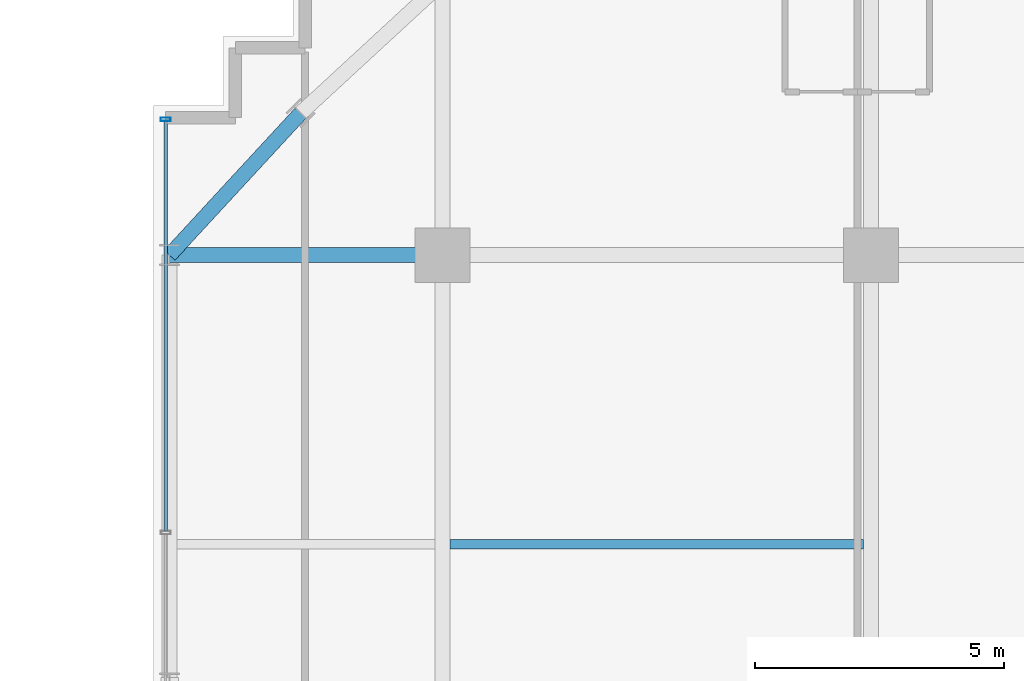
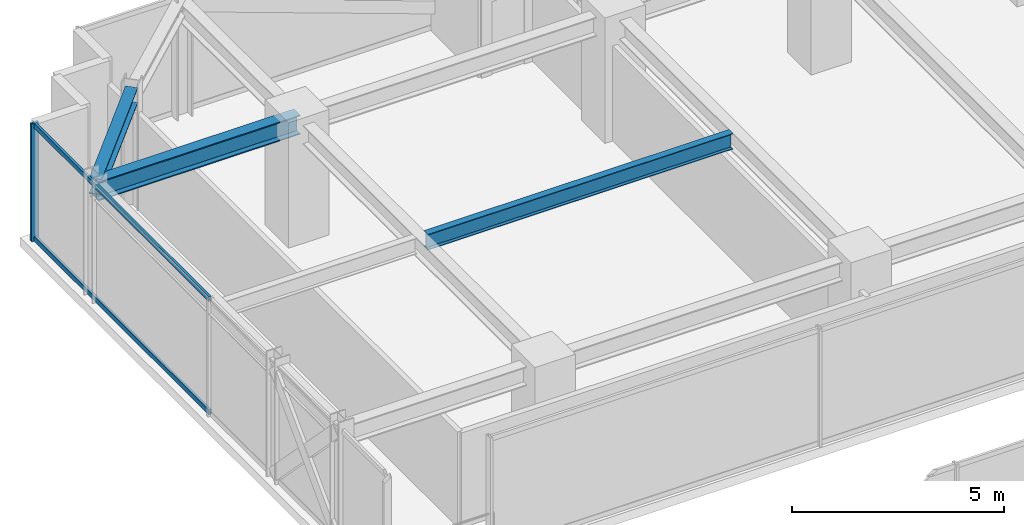
# One storey, part 21 of 36: 3 beams, 3 members, 1 element without a shape of its own.
"""IFC4 building model written with IfcOpenShell, lengths in metres."""

from ifc_helpers import new_model, si_unit, direction, frame, origin, origin_2d, place, context, subcontext, project, spatial, hollow_rectangle, i_section, extrude, source, transform, mapped, material, material_profile, profile_set, type_object, element, aggregate, save


model = new_model("IFC4")

# Units and contexts
model_context = context("Model", 3, precision=1e-05, world=origin(), true_north=direction((0.0, 1.0)))
body_context = subcontext(model_context, "Body", "Model", "MODEL_VIEW")
ifc_project = project(units=[si_unit("LENGTHUNIT", "METRE"), si_unit("AREAUNIT", "SQUARE_METRE"), si_unit("VOLUMEUNIT", "CUBIC_METRE"), si_unit("PLANEANGLEUNIT", "RADIAN"), si_unit("MASSUNIT", "GRAM", prefix="KILO")], contexts=[model_context])

# Site, building, storey
site_placement = place(None, origin())
site = spatial("IfcSite", under=ifc_project, at=site_placement, CompositionType="ELEMENT")
building_placement = place(site_placement, origin())
building = spatial("IfcBuilding", under=site, at=building_placement, Name="Nahalor Promenade Grand Hotel", CompositionType="ELEMENT")
storey_placement = place(building_placement, frame((0.0, 0.0, 170.89990234375)))
storey = spatial("IfcBuildingStorey", under=building, at=storey_placement, Name="L43", CompositionType="ELEMENT", Elevation=170.89990234375)

# Beams
ifc_material_1 = material(Name="Steel S355JR", Category="steel")
ifc_material_profile_1 = material_profile(ifc_material_1, i_section(OverallWidth=0.19, OverallDepth=0.45, WebThickness=0.0094, FlangeThickness=0.0146, at=origin_2d()), Name="IPE 450")
ifc_profile_set_1 = profile_set([ifc_material_profile_1], Name="Steel S355JR")
beam_type_1 = type_object("IfcBeamType", Name="Beam-Joist-IPE450", PredefinedType="JOIST", material=ifc_profile_set_1)
shared_shape_1 = source(origin(), body_context, "Body", "SweptSolid", [
    extrude(i_section(OverallWidth=0.19, OverallDepth=0.45, WebThickness=0.0094, FlangeThickness=0.0146, at=origin_2d()), origin(), (0.0, 0.0, 1.0), 8.300048828125),
])
beam_1_placement = place(storey_placement, frame((-16.85009765625, 11.199951171875, 3.1650390625), z_axis=(1.0, 0.0, 0.0), x_axis=(0.0, 1.0, 0.0)))
element("IfcBeam", 1, at=beam_1_placement, inside=storey, type_object=beam_type_1, Name="BM-L43-JSW-1-1", PredefinedType="JOIST", context=body_context, shape_type="MappedRepresentation", body=[
    mapped(shared_shape_1, transform((0.0, 0.0, 0.0), scale=1.0)),
])
ifc_material_profile_2 = material_profile(ifc_material_1, i_section(OverallWidth=0.3, OverallDepth=0.55, WebThickness=0.015, FlangeThickness=0.029, at=origin_2d()), Name="HEB 550")
ifc_profile_set_2 = profile_set([ifc_material_profile_2], Name="Steel S355JR")
beam_type_2 = type_object("IfcBeamType", Name="Beam-Girder-HEB550", PredefinedType="BEAM", material=ifc_profile_set_2)
shared_shape_2 = source(origin(), body_context, "Body", "SweptSolid", [
    extrude(i_section(OverallWidth=0.3, OverallDepth=0.55, WebThickness=0.015, FlangeThickness=0.029, at=origin_2d()), origin(), (0.0, 0.0, 1.0), 5.47998046875),
])
beam_2_placement = place(storey_placement, frame((-22.47998046875, 17.0, 3.114990234375), z_axis=(1.0, 0.0, 0.0), x_axis=(0.0, 1.0, 0.0)))
element("IfcBeam", 2, at=beam_2_placement, inside=storey, type_object=beam_type_2, Name="BM-L43-GX-3-0", PredefinedType="BEAM", context=body_context, shape_type="MappedRepresentation", body=[
    mapped(shared_shape_2, transform((0.0, 0.0, 0.0), scale=1.0)),
])
ifc_material_profile_3 = material_profile(ifc_material_1, i_section(OverallWidth=0.3, OverallDepth=0.45, WebThickness=0.014, FlangeThickness=0.026, at=origin_2d()), Name="HEB 450")
ifc_profile_set_3 = profile_set([ifc_material_profile_3], Name="Steel S355JR")
beam_type_3 = type_object("IfcBeamType", Name="Beam-Spandrel-HEB450", PredefinedType="SPANDREL", material=ifc_profile_set_3)
shared_shape_3 = source(origin(), body_context, "Body", "SweptSolid", [
    extrude(i_section(OverallWidth=0.3, OverallDepth=0.45, WebThickness=0.014, FlangeThickness=0.026, at=origin_2d()), origin(), (0.0, 0.0, 1.0), 3.878173828125),
])
beam_3_placement = place(storey_placement, frame((-19.85009765625, 19.85009765625, 3.1650390625), z_axis=(-0.678144125843, -0.73492893846, 0.0), x_axis=(0.73492893846, -0.678144125843, 0.0)))
element("IfcBeam", 3, at=beam_3_placement, inside=storey, type_object=beam_type_3, Name="BM-L43-SPC-NW-2", PredefinedType="SPANDREL", context=body_context, shape_type="MappedRepresentation", body=[
    mapped(shared_shape_3, transform((0.0, 0.0, 0.0), scale=1.0)),
])

# Curtain wall, members
ifc_material_2 = material(Name="Anodised Bronze Aluminium EN AW-6063 T6", Category="aluminium")
curtain_wall_type = type_object("IfcCurtainWallType", Name="CW3 Elliptical-Void Collar Unitised Curtain Wall", PredefinedType="USERDEFINED", material=ifc_material_2)
curtain_wall_placement = place(storey_placement, origin())
curtain_wall = element("IfcCurtainWall", 4, at=curtain_wall_placement, inside=storey, type_object=curtain_wall_type, Name="L43 Curtain Wall CW-L43-W-4", ObjectType="UNITISED_CURTAIN_WALL", PredefinedType="USERDEFINED")
ifc_material_profile_4 = material_profile(ifc_material_2, hollow_rectangle(XDim=0.07, YDim=0.2, WallThickness=0.005, at=origin_2d()), Name="CWM 70x200x5")
ifc_profile_set_4 = profile_set([ifc_material_profile_4], Name="Anodised Bronze Aluminium EN AW-6063 T6")
member_type_1 = type_object("IfcMemberType", Name="CWM3 Void Collar Mullion 70x200", PredefinedType="MULLION", material=ifc_profile_set_4)
shared_shape_4 = source(origin(), body_context, "Body", "SweptSolid", [
    extrude(hollow_rectangle(XDim=0.07, YDim=0.2, WallThickness=0.005, at=origin_2d()), origin(), (0.0, 0.0, 1.0), 3.39013671875),
])
member_1_placement = place(storey_placement, frame((-22.56005859375, 19.72509765625, 0.0), z_axis=(0.0, 0.0, 1.0), x_axis=(0.0, 1.0, 0.0)))
member_1 = element("IfcMember", 5, at=member_1_placement, type_object=member_type_1, Name="CW-L43-W-4 Mullion 2", PredefinedType="MULLION", context=body_context, shape_type="MappedRepresentation", body=[
    mapped(shared_shape_4, transform((0.0, 0.0, 0.0), scale=1.0)),
])
ifc_material_profile_5 = material_profile(ifc_material_2, hollow_rectangle(XDim=0.07, YDim=0.14, WallThickness=0.004, at=origin_2d()), Name="CWT 70x140x4")
ifc_profile_set_5 = profile_set([ifc_material_profile_5], Name="Anodised Bronze Aluminium EN AW-6063 T6")
member_type_2 = type_object("IfcMemberType", Name="CWT3 Void Collar Transom 70x140", PredefinedType="USERDEFINED", material=ifc_profile_set_5)
shared_shape_5 = source(origin(), body_context, "Body", "SweptSolid", [
    extrude(hollow_rectangle(XDim=0.07, YDim=0.14, WallThickness=0.004, at=origin_2d()), origin(), (0.0, 0.0, 1.0), 8.224853515625),
])
member_2_placement = place(storey_placement, frame((-22.56005859375, 11.465087890625, 0.070068359375), z_axis=(0.0, 1.0, 0.0), x_axis=(-1.0, 0.0, 0.0)))
member_2 = element("IfcMember", 6, at=member_2_placement, type_object=member_type_2, Name="CW-L43-W-4 Transom 1-0", ObjectType="TRANSOM", PredefinedType="USERDEFINED", context=body_context, shape_type="MappedRepresentation", body=[
    mapped(shared_shape_5, transform((0.0, 0.0, 0.0), scale=1.0)),
])
member_3_placement = place(storey_placement, frame((-22.56005859375, 11.465087890625, 3.320068359375), z_axis=(0.0, 1.0, 0.0), x_axis=(-1.0, 0.0, 0.0)))
member_3 = element("IfcMember", 7, at=member_3_placement, type_object=member_type_2, Name="CW-L43-W-4 Transom 1-1", ObjectType="TRANSOM", PredefinedType="USERDEFINED", context=body_context, shape_type="MappedRepresentation", body=[
    mapped(shared_shape_5, transform((0.0, 0.0, 0.0), scale=1.0)),
])
aggregate(curtain_wall, [member_1, member_2, member_3])

save(model, "model.ifc")
